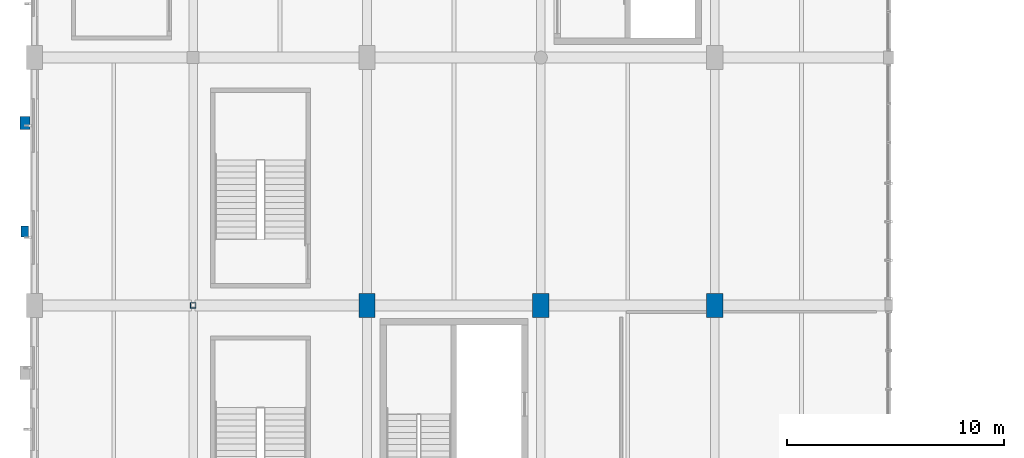
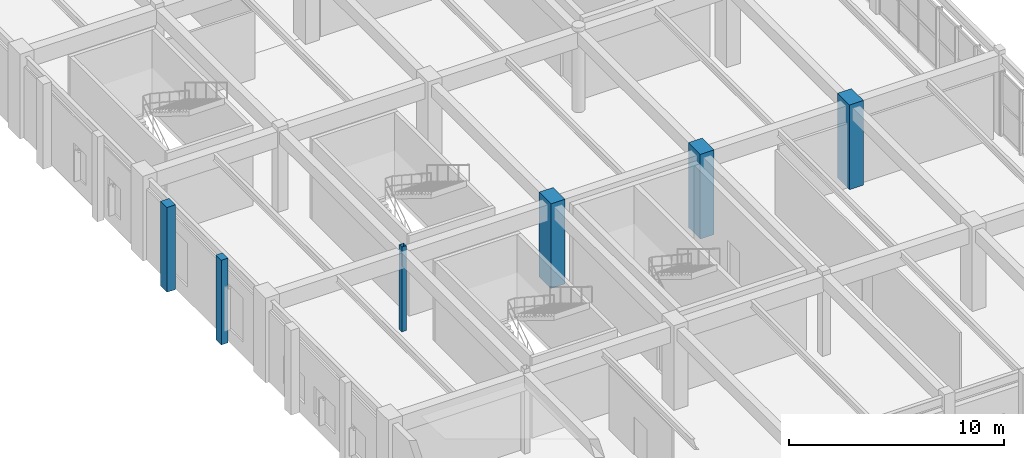
# One storey, part 2 of 106: 6 columns.
"""IFC4 building model written with IfcOpenShell, lengths in metres."""

from ifc_helpers import new_model, si_unit, direction, frame, origin, origin_2d, place, context, subcontext, project, spatial, rectangle, hollow_rectangle, extrude, material, material_profile, profile_set, type_object, element, save


model = new_model("IFC4")

# Units and contexts
model_context = context("Model", 3, precision=1e-05, world=origin(), true_north=direction((0.0, 1.0)))
body_context = subcontext(model_context, "Body", "Model", "MODEL_VIEW")
ifc_project = project(units=[si_unit("LENGTHUNIT", "METRE"), si_unit("AREAUNIT", "SQUARE_METRE"), si_unit("VOLUMEUNIT", "CUBIC_METRE"), si_unit("PLANEANGLEUNIT", "RADIAN"), si_unit("MASSUNIT", "GRAM", prefix="KILO"), si_unit("POWERUNIT", "WATT"), si_unit("THERMODYNAMICTEMPERATUREUNIT", "KELVIN")], contexts=[model_context])

# Site, building, storey
site_placement = place(None, origin())
site = spatial("IfcSite", under=ifc_project, at=site_placement, CompositionType="ELEMENT")
building_placement = place(site_placement, origin())
building = spatial("IfcBuilding", under=site, at=building_placement, Name="Kelmbourne Parkland Aquatics Centre", CompositionType="ELEMENT")
storey_placement = place(building_placement, frame((0.0, 0.0, 5.39990234375)))
storey = spatial("IfcBuildingStorey", under=building, at=storey_placement, Name="L01", CompositionType="ELEMENT", Elevation=5.39990234375)

# Columns
ifc_material_1 = material(Name="Concrete C40/50", Category="concrete")
ifc_material_profile_1 = material_profile(ifc_material_1, rectangle(XDim=0.75, YDim=1.10009765625, at=origin_2d()), Name="RC 750x1100")
ifc_profile_set_1 = profile_set([ifc_material_profile_1], Name="Concrete C40/50")
column_type_1 = type_object("IfcColumnType", Name="COL-C03", PredefinedType="COLUMN", material=ifc_profile_set_1)
for number, where, z_axis, x_axis, name in (
    (1, (16.0, 23.60009765625, 0.0), (0.0, 0.0, 1.0), (1.0, 0.0, 0.0), "Structural column C-04 (L01)"),
    (2, (24.0, 23.60009765625, 0.0), (0.0, 0.0, 1.0), (1.0, 0.0, 0.0), "Structural column D-04 (L01)"),
    (3, (32.0, 23.60009765625, 0.0), (0.0, 0.0, 1.0), (1.0, 0.0, 0.0), "Structural column E-04 (L01)"),
):
    element("IfcColumn", number, at=place(storey_placement, frame(where, z_axis=z_axis, x_axis=x_axis)), inside=storey, type_object=column_type_1, Name=name, PredefinedType="COLUMN", context=body_context, shape_type="SweptSolid", body=[
        extrude(rectangle(XDim=0.75, YDim=1.10009765625, at=origin_2d()), origin(), (0.0, 0.0, 1.0), 4.800048828125),
    ])
ifc_material_2 = material(Name="Cold-formed hollow steel AS/NZS 1163 C350L0", Category="steel")
ifc_material_profile_2 = material_profile(ifc_material_2, hollow_rectangle(XDim=0.25, YDim=0.25, WallThickness=0.012451171875, at=origin_2d()), Name="SHS 250x250x12.5")
ifc_profile_set_2 = profile_set([ifc_material_profile_2], Name="Cold-formed hollow steel AS/NZS 1163 C350L0")
column_type_2 = type_object("IfcColumnType", Name="COL-C23", PredefinedType="COLUMN", material=ifc_profile_set_2)
column_1_placement = place(storey_placement, frame((8.0, 23.60009765625, 0.0), z_axis=(0.0, 0.0, 1.0), x_axis=(1.0, 0.0, 0.0)))
element("IfcColumn", 4, at=column_1_placement, inside=storey, type_object=column_type_2, Name="Structural column B-04 (L01)", PredefinedType="COLUMN", context=body_context, shape_type="SweptSolid", body=[
    extrude(hollow_rectangle(XDim=0.25, YDim=0.25, WallThickness=0.012451171875, at=origin_2d()), origin(), (0.0, 0.0, 1.0), 4.800048828125),
])
ifc_material_3 = material(Name="Clay brick masonry AS 3700 M12", Category="masonry")
ifc_material_profile_3 = material_profile(ifc_material_3, rectangle(XDim=0.35009765625, YDim=0.5, at=origin_2d()), Name="PIL 350x500")
ifc_profile_set_3 = profile_set([ifc_material_profile_3], Name="Clay brick masonry AS 3700 M12")
column_type_3 = type_object("IfcColumnType", Name="PIL-PL1", PredefinedType="PILASTER", material=ifc_profile_set_3)
column_2_placement = place(storey_placement, frame((0.260009765625, 27.0, 0.0), z_axis=(0.0, 0.0, 1.0), x_axis=(1.0, 0.0, 0.0)))
element("IfcColumn", 5, at=column_2_placement, inside=storey, type_object=column_type_3, Name="Amsterdam School engaged brick buttress W-005 (L01)", PredefinedType="PILASTER", context=body_context, shape_type="SweptSolid", body=[
    extrude(rectangle(XDim=0.35009765625, YDim=0.5, at=origin_2d()), origin(), (0.0, 0.0, 1.0), 4.800048828125),
])
ifc_material_profile_4 = material_profile(ifc_material_3, rectangle(XDim=0.449951171875, YDim=0.60009765625, at=origin_2d()), Name="PIL 450x600")
ifc_profile_set_4 = profile_set([ifc_material_profile_4], Name="Clay brick masonry AS 3700 M12")
column_type_4 = type_object("IfcColumnType", Name="PIL-PL2", PredefinedType="PILASTER", material=ifc_profile_set_4)
column_3_placement = place(storey_placement, frame((0.260009765625, 32.0, 0.0), z_axis=(0.0, 0.0, 1.0), x_axis=(1.0, 0.0, 0.0)))
element("IfcColumn", 6, at=column_3_placement, inside=storey, type_object=column_type_4, Name="Amsterdam School engaged brick buttress W-006 (L01)", PredefinedType="PILASTER", context=body_context, shape_type="SweptSolid", body=[
    extrude(rectangle(XDim=0.449951171875, YDim=0.60009765625, at=origin_2d()), origin(), (0.0, 0.0, 1.0), 4.800048828125),
])

save(model, "model.ifc")
